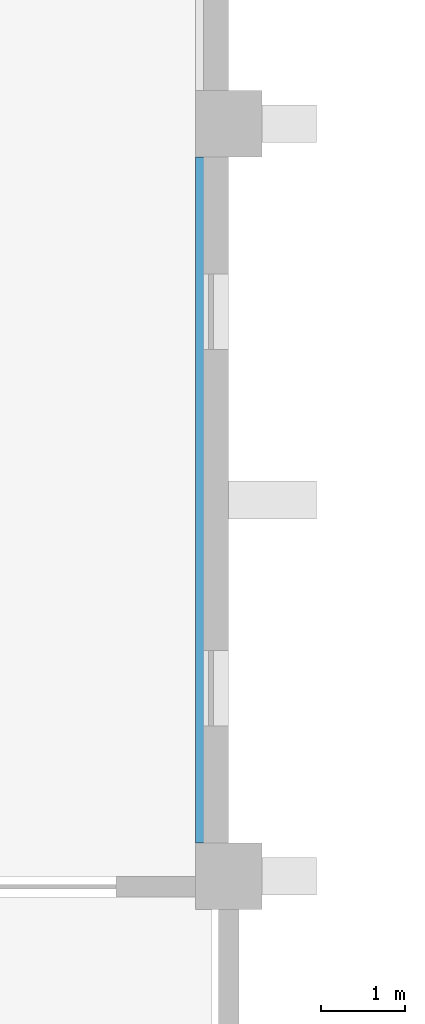
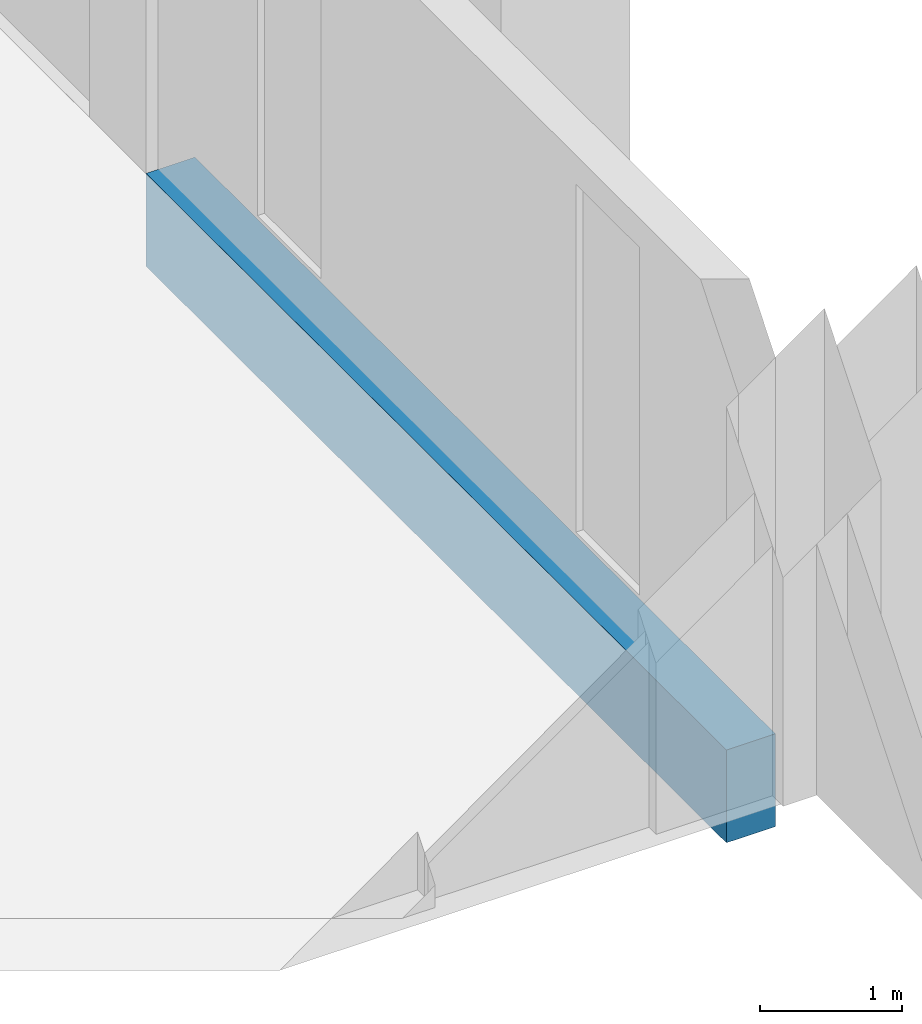
# One storey, part 7 of 79: 1 beam.
"""IFC4 building model written with IfcOpenShell, lengths in metres."""

from ifc_helpers import new_model, si_unit, direction, frame, origin, origin_2d, place, context, subcontext, project, spatial, rectangle, extrude, material, material_profile, profile_set, type_object, element, save


model = new_model("IFC4")

# Units and contexts
model_context = context("Model", 3, precision=1e-05, world=origin(), true_north=direction((0.0, 1.0)))
body_context = subcontext(model_context, "Body", "Model", "MODEL_VIEW")
ifc_project = project(units=[si_unit("LENGTHUNIT", "METRE"), si_unit("AREAUNIT", "SQUARE_METRE"), si_unit("VOLUMEUNIT", "CUBIC_METRE"), si_unit("PLANEANGLEUNIT", "RADIAN"), si_unit("MASSUNIT", "GRAM", prefix="KILO")], contexts=[model_context])

# Site, building, storey
site_placement = place(None, origin())
site = spatial("IfcSite", under=ifc_project, at=site_placement, CompositionType="ELEMENT")
building_placement = place(site_placement, origin())
building = spatial("IfcBuilding", under=site, at=building_placement, Name="Guidao Yard Department Store", CompositionType="ELEMENT")
storey_placement = place(building_placement, frame((0.0, 0.0, 15.0)))
storey = spatial("IfcBuildingStorey", under=building, at=storey_placement, Name="L03", CompositionType="ELEMENT", Elevation=15.0)

# Beam
ifc_material = material(Name="Concrete C40", Category="concrete")
ifc_material_profile = material_profile(ifc_material, rectangle(XDim=0.39990234375, YDim=0.800048828125, at=origin_2d()), Name="Spandrel beam 400 x 800 C40")
ifc_profile_set = profile_set([ifc_material_profile], Name="Concrete C40")
beam_type = type_object("IfcBeamType", Name="Spandrel beam 400 x 800 C40", PredefinedType="SPANDREL", material=ifc_profile_set)
beam_placement = place(storey_placement, frame((62.800048828125, 54.39990234375, -0.39990234375), z_axis=(0.0, 1.0, 0.0), x_axis=(-1.0, 0.0, 0.0)))
element("IfcBeam", 1, at=beam_placement, inside=storey, type_object=beam_type, Name="Beam EB14", PredefinedType="SPANDREL", context=body_context, shape_type="SweptSolid", body=[
    extrude(rectangle(XDim=0.39990234375, YDim=0.800048828125, at=origin_2d()), origin(), (0.0, 0.0, 1.0), 8.2001953125),
])

save(model, "model.ifc")
